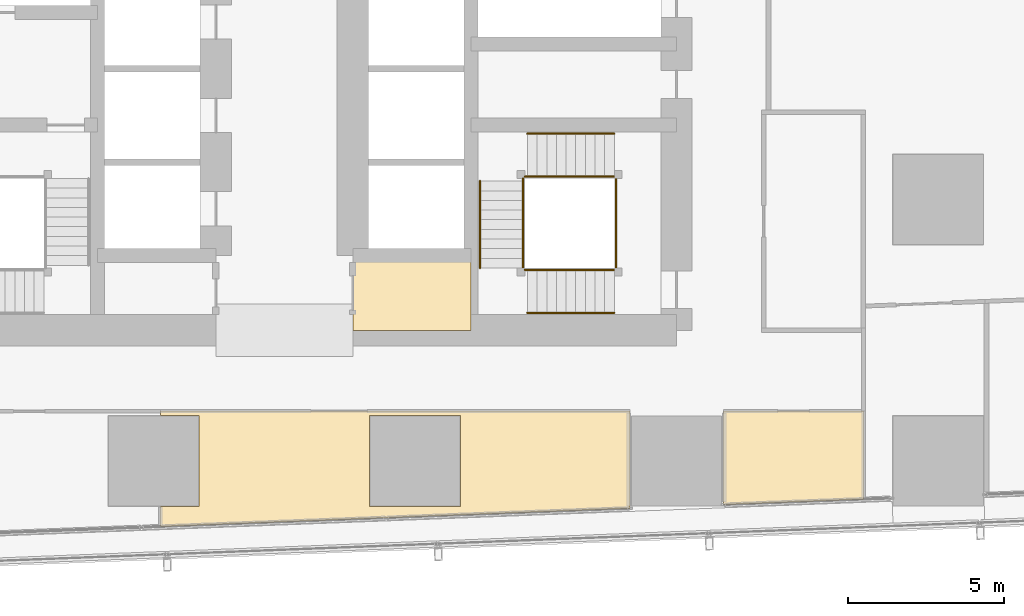
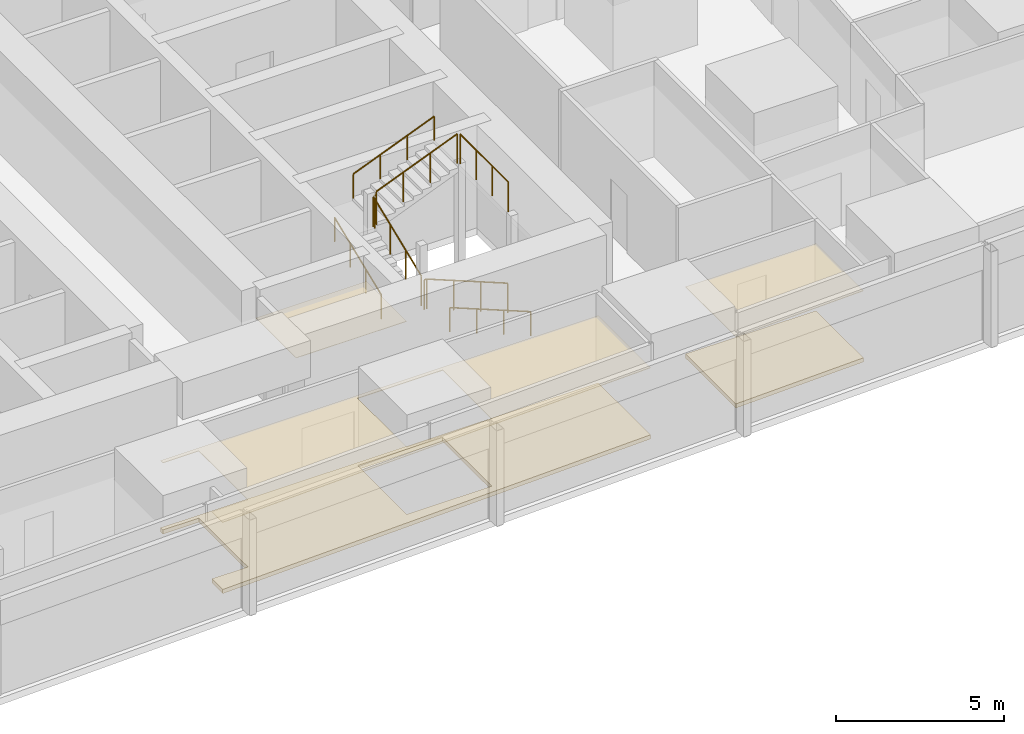
# One storey, part 37 of 40: 10 railings, 5 coverings.
"""IFC4 building model written with IfcOpenShell, lengths in metres."""

from ifc_helpers import new_model, si_unit, direction, frame, origin, origin_2d, place, context, subcontext, project, spatial, polyline, circle, outline, extrude, material, layer, layer_set, type_object, element, save


model = new_model("IFC4")

# Units and contexts
model_context = context("Model", 3, precision=1e-05, world=origin(), true_north=direction((0.0, 1.0)))
body_context = subcontext(model_context, "Body", "Model", "MODEL_VIEW")
ifc_project = project(units=[si_unit("LENGTHUNIT", "METRE"), si_unit("AREAUNIT", "SQUARE_METRE"), si_unit("VOLUMEUNIT", "CUBIC_METRE"), si_unit("PLANEANGLEUNIT", "RADIAN"), si_unit("MASSUNIT", "GRAM", prefix="KILO")], contexts=[model_context])

# Site, building, storey
site_placement = place(None, origin())
site = spatial("IfcSite", under=ifc_project, at=site_placement, CompositionType="ELEMENT")
building_placement = place(site_placement, origin())
building = spatial("IfcBuilding", under=site, at=building_placement, Name="Rekha Terrace Tower", CompositionType="ELEMENT")
storey_placement = place(building_placement, frame((0.0, 0.0, 95.300048828125)))
storey = spatial("IfcBuildingStorey", under=building, at=storey_placement, Name="L23", CompositionType="ELEMENT", Elevation=95.300048828125)

# Coverings
ifc_material_1 = material(Name="Mineral fibre tile in exposed grid", Category="finish")
ifc_layer_1 = layer(ifc_material_1, 0.02001953125)
ifc_layer_set_1 = layer_set([ifc_layer_1], Name="Mineral fibre tile in exposed grid")
covering_type_1 = type_object("IfcCoveringType", Name="CL1 600x1200 office grid ceiling", PredefinedType="CEILING", material=ifc_layer_set_1)
covering_1_placement = place(storey_placement, frame((0.0, 0.0, 2.579833984375)))
element("IfcCovering", 1, at=covering_1_placement, inside=storey, type_object=covering_type_1, Name="Ceiling L23-14", PredefinedType="CEILING", context=body_context, shape_type="SweptSolid", body=[
    extrude(outline(polyline([(51.906982421875, 18.39990234375), (51.906982421875, 15.39599609375), (56.40087890625, 15.571044921875), (56.39990234375, 18.39990234375), (51.906982421875, 18.39990234375)])), origin(), (0.0, 0.0, 1.0), 0.02001953125),
])
covering_2_placement = place(storey_placement, frame((0.0, 0.0, 2.579833984375)))
element("IfcCovering", 2, at=covering_2_placement, inside=storey, type_object=covering_type_1, Name="Ceiling L23-22", PredefinedType="CEILING", context=body_context, shape_type="SweptSolid", body=[
    extrude(outline(polyline([(35.06494140625, 15.3349609375), (33.825927734375, 15.3349609375), (33.825927734375, 14.69189453125), (40.40087890625, 14.947998046875), (48.89990234375, 15.279052734375), (48.89990234375, 18.39990234375), (33.825927734375, 18.39990234375), (33.825927734375, 18.264892578125), (35.06494140625, 18.264892578125), (35.06494140625, 15.3349609375)]), holes=[polyline([(43.465087890625, 18.264892578125), (43.465087890625, 15.3349609375), (40.534912109375, 15.3349609375), (40.534912109375, 18.264892578125), (43.465087890625, 18.264892578125)])]), origin(), (0.0, 0.0, 1.0), 0.02001953125),
])
ifc_material_2 = material(Name="Fibre cement board", Category="finish")
ifc_layer_2 = layer(ifc_material_2, 0.014892578125)
ifc_layer_set_2 = layer_set([ifc_layer_2], Name="Fibre cement board")
covering_type_2 = type_object("IfcCoveringType", Name="CL2 moisture-resistant board ceiling", PredefinedType="CEILING", material=ifc_layer_set_2)
covering_3_placement = place(storey_placement, frame((0.0, 0.0, 2.5849609375)))
element("IfcCovering", 3, at=covering_3_placement, inside=storey, type_object=covering_type_2, Name="Ceiling L23-WCA", PredefinedType="CEILING", context=body_context, shape_type="SweptSolid", body=[
    extrude(outline(polyline([(43.800048828125, 23.39990234375), (40.0, 23.39990234375), (40.0, 21.0), (43.800048828125, 21.0), (43.800048828125, 23.39990234375)])), origin(), (0.0, 0.0, 1.0), 0.014892578125),
])

# Railings
ifc_material_3 = material(Name="Stainless steel balustrade", Category="steel")
railing_type_1 = type_object("IfcRailingType", Name="GR1 1100 stair guard", PredefinedType="GUARDRAIL", material=ifc_material_3)
railing_1_placement = place(storey_placement, frame((48.39990234375, 22.93994140625, 0.125)))
element("IfcRailing", 4, at=railing_1_placement, inside=storey, type_object=railing_type_1, Name="Guard ST3 L23 flight 1", PredefinedType="GUARDRAIL", context=body_context, shape_type="SweptSolid", body=[
    extrude(circle(Radius=0.02392578125, at=origin_2d()), frame((0.0, 0.0, 1.076171875), z_axis=(-0.927431937212, 0.0, 0.373991980981), x_axis=(0.0, -1.0, 0.0)), (0.0, 0.0, 1.0), 3.008056640625),
    extrude(circle(Radius=0.02099609375, at=origin_2d()), origin(), (0.0, 0.0, 1.0), 1.052001953125),
    extrude(circle(Radius=0.02099609375, at=origin_2d()), frame((-0.929931640625, 0.0, 0.375)), (0.0, 0.0, 1.0), 1.052001953125),
    extrude(circle(Radius=0.02099609375, at=origin_2d()), frame((-1.85986328125, 0.0, 0.75)), (0.0, 0.0, 1.0), 1.052001953125),
    extrude(circle(Radius=0.02099609375, at=origin_2d()), frame((-2.789794921875, 0.0, 1.125)), (0.0, 0.0, 1.0), 1.052001953125),
])
railing_2_placement = place(storey_placement, frame((45.465087890625, 23.0, 1.375)))
element("IfcRailing", 5, at=railing_2_placement, inside=storey, type_object=railing_type_1, Name="Guard ST3 L23 flight 2", PredefinedType="GUARDRAIL", context=body_context, shape_type="SweptSolid", body=[
    extrude(circle(Radius=0.02392578125, at=origin_2d()), frame((0.0, 0.0, 1.076171875), z_axis=(0.0, 0.927443287984, 0.373963831907), x_axis=(-1.0, 0.0, 0.0)), (0.0, 0.0, 1.0), 3.00830078125),
    extrude(circle(Radius=0.02099609375, at=origin_2d()), origin(), (0.0, 0.0, 1.0), 1.052001953125),
    extrude(circle(Radius=0.02099609375, at=origin_2d()), frame((0.0, 0.929931640625, 0.375)), (0.0, 0.0, 1.0), 1.052001953125),
    extrude(circle(Radius=0.02099609375, at=origin_2d()), frame((0.0, 1.860107421875, 0.75)), (0.0, 0.0, 1.0), 1.052001953125),
    extrude(circle(Radius=0.02099609375, at=origin_2d()), frame((0.0, 2.7900390625, 1.125)), (0.0, 0.0, 1.0), 1.052001953125),
])
railing_3_placement = place(storey_placement, frame((45.610107421875, 25.93505859375, 2.625)))
element("IfcRailing", 6, at=railing_3_placement, inside=storey, type_object=railing_type_1, Name="Guard ST3 L23 flight 3", PredefinedType="GUARDRAIL", context=body_context, shape_type="SweptSolid", body=[
    extrude(circle(Radius=0.02392578125, at=origin_2d()), frame((0.0, 0.0, 1.076171875), z_axis=(0.927431937212, 0.0, 0.373991980981), x_axis=(0.0, 1.0, 0.0)), (0.0, 0.0, 1.0), 3.008056640625),
    extrude(circle(Radius=0.02099609375, at=origin_2d()), origin(), (0.0, 0.0, 1.0), 1.052001953125),
    extrude(circle(Radius=0.02099609375, at=origin_2d()), frame((0.929931640625, 0.0, 0.375)), (0.0, 0.0, 1.0), 1.052001953125),
    extrude(circle(Radius=0.02099609375, at=origin_2d()), frame((1.85986328125, 0.0, 0.75)), (0.0, 0.0, 1.0), 1.052001953125),
    extrude(circle(Radius=0.02099609375, at=origin_2d()), frame((2.789794921875, 0.0, 1.125)), (0.0, 0.0, 1.0), 1.052001953125),
])
railing_4_placement = place(storey_placement, frame((45.610107421875, 22.93994140625, 1.25)))
element("IfcRailing", 7, at=railing_4_placement, inside=storey, type_object=railing_type_1, Name="Guard ST3 L23 landing 1", PredefinedType="GUARDRAIL", context=body_context, shape_type="SweptSolid", body=[
    extrude(circle(Radius=0.02392578125, at=origin_2d()), frame((0.0, 0.0, 1.076171875), z_axis=(-1.0, 0.0, 0.0), x_axis=(0.0, -1.0, 0.0)), (0.0, 0.0, 1.0), 0.085205078125),
    extrude(circle(Radius=0.02099609375, at=origin_2d()), origin(), (0.0, 0.0, 1.0), 1.052001953125),
    extrude(circle(Radius=0.02099609375, at=origin_2d()), frame((-0.085205078125, 0.0, 0.0)), (0.0, 0.0, 1.0), 1.052001953125),
])
railing_5_placement = place(storey_placement, frame((45.465087890625, 25.7900390625, 2.5)))
element("IfcRailing", 8, at=railing_5_placement, inside=storey, type_object=railing_type_1, Name="Guard ST3 L23 landing 2", PredefinedType="GUARDRAIL", context=body_context, shape_type="SweptSolid", body=[
    extrude(circle(Radius=0.02392578125, at=origin_2d()), frame((0.0, 0.0, 1.076171875), z_axis=(0.0, 1.0, 0.0), x_axis=(-1.0, 0.0, 0.0)), (0.0, 0.0, 1.0), 0.0849609375),
    extrude(circle(Radius=0.02099609375, at=origin_2d()), origin(), (0.0, 0.0, 1.0), 1.052001953125),
    extrude(circle(Radius=0.02099609375, at=origin_2d()), frame((0.0, 0.0849609375, 0.0)), (0.0, 0.0, 1.0), 1.052001953125),
])
railing_6_placement = place(storey_placement, frame((45.610107421875, 25.93505859375, 2.5)))
element("IfcRailing", 9, at=railing_6_placement, inside=storey, type_object=railing_type_1, Name="Guard ST3 L23 landing 3", PredefinedType="GUARDRAIL", context=body_context, shape_type="SweptSolid", body=[
    extrude(circle(Radius=0.02392578125, at=origin_2d()), frame((0.0, 0.0, 1.076171875), z_axis=(-1.0, 0.0, 0.0), x_axis=(0.0, -1.0, 0.0)), (0.0, 0.0, 1.0), 0.085205078125),
    extrude(circle(Radius=0.02099609375, at=origin_2d()), origin(), (0.0, 0.0, 1.0), 1.052001953125),
    extrude(circle(Radius=0.02099609375, at=origin_2d()), frame((-0.085205078125, 0.0, 0.0)), (0.0, 0.0, 1.0), 1.052001953125),
])
railing_7_placement = place(storey_placement, frame((48.4599609375, 23.0, 3.75)))
element("IfcRailing", 10, at=railing_7_placement, inside=storey, type_object=railing_type_1, Name="Guard ST3 L23 landing 4", PredefinedType="GUARDRAIL", context=body_context, shape_type="SweptSolid", body=[
    extrude(circle(Radius=0.02392578125, at=origin_2d()), frame((0.0, 0.0, 1.076171875), z_axis=(0.0, 1.0, 0.0), x_axis=(-1.0, 0.0, 0.0)), (0.0, 0.0, 1.0), 2.875),
    extrude(circle(Radius=0.02099609375, at=origin_2d()), origin(), (0.0, 0.0, 1.0), 1.052001953125),
    extrude(circle(Radius=0.02099609375, at=origin_2d()), frame((0.0, 0.958251953125, 0.0)), (0.0, 0.0, 1.0), 1.052001953125),
    extrude(circle(Radius=0.02099609375, at=origin_2d()), frame((0.0, 1.916748046875, 0.0)), (0.0, 0.0, 1.0), 1.052001953125),
    extrude(circle(Radius=0.02099609375, at=origin_2d()), frame((0.0, 2.875, 0.0)), (0.0, 0.0, 1.0), 1.052001953125),
])
ifc_material_4 = material(Name="Stainless steel tube", Category="steel")
railing_type_2 = type_object("IfcRailingType", Name="HR1 900 stair handrail", PredefinedType="HANDRAIL", material=ifc_material_4)
railing_8_placement = place(storey_placement, frame((48.39990234375, 21.56005859375, 0.125)))
element("IfcRailing", 11, at=railing_8_placement, inside=storey, type_object=railing_type_2, Name="Handrail ST3 L23 flight 1", PredefinedType="HANDRAIL", context=body_context, shape_type="SweptSolid", body=[
    extrude(circle(Radius=0.02392578125, at=origin_2d()), frame((0.0, 0.0, 0.8759765625), z_axis=(-0.927431937212, 0.0, 0.373991980981), x_axis=(0.0, -1.0, 0.0)), (0.0, 0.0, 1.0), 3.008056640625),
    extrude(circle(Radius=0.02099609375, at=origin_2d()), origin(), (0.0, 0.0, 1.0), 0.851806640625),
    extrude(circle(Radius=0.02099609375, at=origin_2d()), frame((-0.929931640625, 0.0, 0.375)), (0.0, 0.0, 1.0), 0.851806640625),
    extrude(circle(Radius=0.02099609375, at=origin_2d()), frame((-1.85986328125, 0.0, 0.75)), (0.0, 0.0, 1.0), 0.851806640625),
    extrude(circle(Radius=0.02099609375, at=origin_2d()), frame((-2.789794921875, 0.0, 1.125)), (0.0, 0.0, 1.0), 0.851806640625),
])
railing_9_placement = place(storey_placement, frame((44.0849609375, 23.0, 1.375)))
element("IfcRailing", 12, at=railing_9_placement, inside=storey, type_object=railing_type_2, Name="Handrail ST3 L23 flight 2", PredefinedType="HANDRAIL", context=body_context, shape_type="SweptSolid", body=[
    extrude(circle(Radius=0.02392578125, at=origin_2d()), frame((0.0, 0.0, 0.8759765625), z_axis=(0.0, 0.927443287984, 0.373963831907), x_axis=(-1.0, 0.0, 0.0)), (0.0, 0.0, 1.0), 3.00830078125),
    extrude(circle(Radius=0.02099609375, at=origin_2d()), origin(), (0.0, 0.0, 1.0), 0.851806640625),
    extrude(circle(Radius=0.02099609375, at=origin_2d()), frame((0.0, 0.929931640625, 0.375)), (0.0, 0.0, 1.0), 0.851806640625),
    extrude(circle(Radius=0.02099609375, at=origin_2d()), frame((0.0, 1.860107421875, 0.75)), (0.0, 0.0, 1.0), 0.851806640625),
    extrude(circle(Radius=0.02099609375, at=origin_2d()), frame((0.0, 2.7900390625, 1.125)), (0.0, 0.0, 1.0), 0.851806640625),
])
railing_10_placement = place(storey_placement, frame((45.610107421875, 27.31494140625, 2.625)))
element("IfcRailing", 13, at=railing_10_placement, inside=storey, type_object=railing_type_2, Name="Handrail ST3 L23 flight 3", PredefinedType="HANDRAIL", context=body_context, shape_type="SweptSolid", body=[
    extrude(circle(Radius=0.02392578125, at=origin_2d()), frame((0.0, 0.0, 0.8759765625), z_axis=(0.927431937212, 0.0, 0.373991980981), x_axis=(0.0, 1.0, 0.0)), (0.0, 0.0, 1.0), 3.008056640625),
    extrude(circle(Radius=0.02099609375, at=origin_2d()), origin(), (0.0, 0.0, 1.0), 0.851806640625),
    extrude(circle(Radius=0.02099609375, at=origin_2d()), frame((0.929931640625, 0.0, 0.375)), (0.0, 0.0, 1.0), 0.851806640625),
    extrude(circle(Radius=0.02099609375, at=origin_2d()), frame((1.85986328125, 0.0, 0.75)), (0.0, 0.0, 1.0), 0.851806640625),
    extrude(circle(Radius=0.02099609375, at=origin_2d()), frame((2.789794921875, 0.0, 1.125)), (0.0, 0.0, 1.0), 0.851806640625),
])

# Coverings
ifc_material_5 = material(Name="Calcium sulphate panels on steel pedestals", Category="steel")
ifc_layer_3 = layer(ifc_material_5, 0.14990234375)
ifc_layer_set_3 = layer_set([ifc_layer_3], Name="Calcium sulphate panels on steel pedestals")
covering_type_3 = type_object("IfcCoveringType", Name="RF1 150 raised access floor", PredefinedType="FLOORING", material=ifc_layer_set_3)
covering_4_placement = place(storey_placement, origin())
element("IfcCovering", 14, at=covering_4_placement, inside=storey, type_object=covering_type_3, Name="Raised floor L23-14", PredefinedType="FLOORING", context=body_context, shape_type="SweptSolid", body=[
    extrude(outline(polyline([(51.906982421875, 18.39990234375), (51.906982421875, 15.39599609375), (56.40087890625, 15.571044921875), (56.39990234375, 18.39990234375), (51.906982421875, 18.39990234375)])), origin(), (0.0, 0.0, 1.0), 0.14990234375),
])
covering_5_placement = place(storey_placement, origin())
element("IfcCovering", 15, at=covering_5_placement, inside=storey, type_object=covering_type_3, Name="Raised floor L23-22", PredefinedType="FLOORING", context=body_context, shape_type="SweptSolid", body=[
    extrude(outline(polyline([(35.06494140625, 15.3349609375), (33.825927734375, 15.3349609375), (33.825927734375, 14.69189453125), (40.40087890625, 14.947998046875), (48.89990234375, 15.279052734375), (48.89990234375, 18.39990234375), (33.825927734375, 18.39990234375), (33.825927734375, 18.264892578125), (35.06494140625, 18.264892578125), (35.06494140625, 15.3349609375)]), holes=[polyline([(43.465087890625, 18.264892578125), (43.465087890625, 15.3349609375), (40.534912109375, 15.3349609375), (40.534912109375, 18.264892578125), (43.465087890625, 18.264892578125)])]), origin(), (0.0, 0.0, 1.0), 0.14990234375),
])

save(model, "model.ifc")
